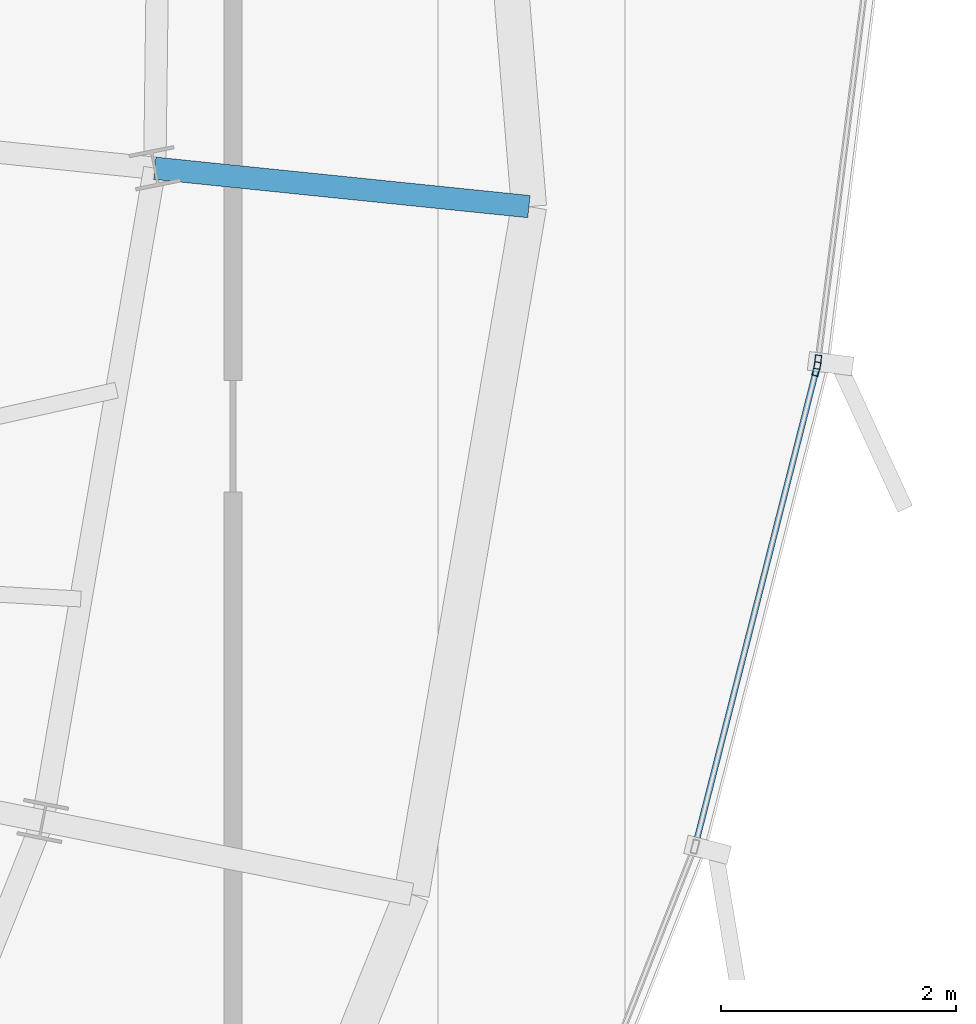
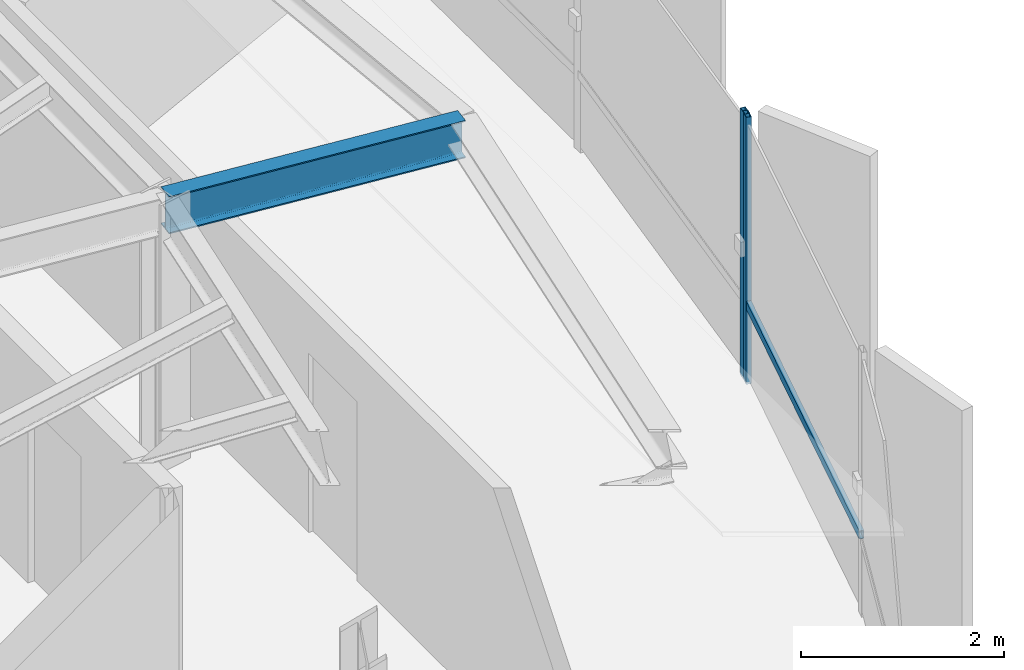
# One storey, part 15 of 34: 3 members, 1 beam, 2 elements without a shape of their own.
"""IFC4 building model written with IfcOpenShell, lengths in metres."""

from ifc_helpers import new_model, si_unit, direction, frame, origin, origin_2d, place, context, subcontext, project, spatial, hollow_rectangle, i_section, extrude, source, transform, mapped, material, layer, layer_set, material_profile, profile_set, type_object, element, aggregate, save


model = new_model("IFC4")

# Units and contexts
model_context = context("Model", 3, precision=1e-05, world=origin(), true_north=direction((0.0, 1.0)))
body_context = subcontext(model_context, "Body", "Model", "MODEL_VIEW")
ifc_project = project(units=[si_unit("LENGTHUNIT", "METRE"), si_unit("AREAUNIT", "SQUARE_METRE"), si_unit("VOLUMEUNIT", "CUBIC_METRE"), si_unit("PLANEANGLEUNIT", "RADIAN"), si_unit("MASSUNIT", "GRAM", prefix="KILO"), si_unit("THERMODYNAMICTEMPERATUREUNIT", "KELVIN")], contexts=[model_context])

# Site, building, storey
site_placement = place(None, origin())
site = spatial("IfcSite", under=ifc_project, at=site_placement, CompositionType="ELEMENT")
building_placement = place(site_placement, origin())
building = spatial("IfcBuilding", under=site, at=building_placement, Name="Kethvar Cultural Tower", CompositionType="ELEMENT")
storey_placement = place(building_placement, frame((0.0, 0.0, 262.89990234375)))
storey = spatial("IfcBuildingStorey", under=building, at=storey_placement, Name="L69", CompositionType="ELEMENT", Elevation=262.89990234375)

# Beam
ifc_material_1 = material(Name="Steel S355J2", Category="steel")
ifc_material_profile_1 = material_profile(ifc_material_1, i_section(OverallWidth=0.18994140625, OverallDepth=0.449951171875, WebThickness=0.009521484375, FlangeThickness=0.0146484375, FilletRadius=0.02099609375, at=origin_2d()), Name="Steel S355J2 — IPE450")
ifc_profile_set_1 = profile_set([ifc_material_profile_1], Name="Steel S355J2 — IPE450")
beam_type = type_object("IfcBeamType", Name="BM-IPE450", PredefinedType="BEAM", material=ifc_profile_set_1)
shared_shape_1 = source(origin(), body_context, "Body", "SweptSolid", [
    extrude(i_section(OverallWidth=0.18994140625, OverallDepth=0.449951171875, WebThickness=0.009521484375, FlangeThickness=0.0146484375, FilletRadius=0.02099609375, at=origin_2d()), origin(), (0.0, 0.0, 1.0), 3.199951171875),
])
beam_placement = place(storey_placement, frame((61.237060546875, 30.671630859375, 2.983154296875), z_axis=(0.994784019447, -0.10200369921, 0.0), x_axis=(0.10200369921, 0.994784019447, 0.0)))
element("IfcBeam", 1, at=beam_placement, inside=storey, type_object=beam_type, Name="L69 Perimeter Cantilever Beam RC-01", PredefinedType="BEAM", context=body_context, shape_type="MappedRepresentation", body=[
    mapped(shared_shape_1, transform((0.0, 0.0, 0.0), scale=1.0)),
])

# Curtain wall, member
ifc_material_2 = material(Name="Aluminium 6063-T6", Category="aluminium")
ifc_layer = layer(ifc_material_2, 0.179931640625, Name="Aluminium 6063-T6", Category="aluminium")
ifc_layer_set = layer_set([ifc_layer], Name="Aluminium 6063-T6 (180 mm)")
curtain_wall_type = type_object("IfcCurtainWallType", Name="CW-SYS-05-Z56", PredefinedType="NOTDEFINED", material=ifc_layer_set)
curtain_wall_1_placement = place(storey_placement, origin())
curtain_wall_1 = element("IfcCurtainWall", 2, at=curtain_wall_1_placement, inside=storey, type_object=curtain_wall_type, Name="L69 Curtain Wall Run 05", PredefinedType="NOTDEFINED")
ifc_material_profile_2 = material_profile(ifc_material_2, hollow_rectangle(XDim=0.054931640625, YDim=0.1201171875, WallThickness=0.00390625, at=origin_2d()), Name="Aluminium 6063-T6 — RHS120x55x4")
ifc_profile_set_2 = profile_set([ifc_material_profile_2], Name="Aluminium 6063-T6 — RHS120x55x4")
member_type_1 = type_object("IfcMemberType", Name="CW-SYS-05-Z56-MUL", PredefinedType="MULLION", material=ifc_profile_set_2)
shared_shape_2 = source(origin(), body_context, "Body", "SweptSolid", [
    extrude(hollow_rectangle(XDim=0.054931640625, YDim=0.1201171875, WallThickness=0.00390625, at=origin_2d()), origin(), (0.0, 0.0, 1.0), 3.210205078125),
])
member_1_placement = place(storey_placement, frame((66.8671875, 28.96435546875, 0.0), z_axis=(0.0, 0.0, 1.0), x_axis=(-0.969157831893, 0.24644085879, 0.0)))
member_1 = element("IfcMember", 3, at=member_1_placement, type_object=member_type_1, Name="CW-L69-R05 Mullion 7", PredefinedType="MULLION", context=body_context, shape_type="MappedRepresentation", body=[
    mapped(shared_shape_2, transform((0.0, 0.0, 0.0), scale=1.0)),
])

curtain_wall_2_placement = place(storey_placement, origin())
curtain_wall_2 = element("IfcCurtainWall", 4, at=curtain_wall_2_placement, inside=storey, type_object=curtain_wall_type, Name="L69 Curtain Wall Run 06", PredefinedType="NOTDEFINED")
member_2_placement = place(storey_placement, frame((66.878173828125, 29.0224609375, 0.0), z_axis=(0.0, 0.0, 1.0), x_axis=(-0.992164933362, 0.124934963111, 0.0)))
member_2 = element("IfcMember", 5, at=member_2_placement, type_object=member_type_1, Name="CW-L69-R06 Mullion 1", PredefinedType="MULLION", context=body_context, shape_type="MappedRepresentation", body=[
    mapped(shared_shape_2, transform((0.0, 0.0, 0.0), scale=1.0)),
])
aggregate(curtain_wall_2, [member_2])

# Member
ifc_material_profile_3 = material_profile(ifc_material_2, hollow_rectangle(XDim=0.050048828125, YDim=0.10009765625, WallThickness=0.00390625, at=origin_2d()), Name="Aluminium 6063-T6 — RHS100x50x4")
ifc_profile_set_3 = profile_set([ifc_material_profile_3], Name="Aluminium 6063-T6 — RHS100x50x4")
member_type_2 = type_object("IfcMemberType", Name="CW-SYS-05-Z56-TRN", PredefinedType="USERDEFINED", material=ifc_profile_set_3)
shared_shape_3 = source(origin(), body_context, "Body", "SweptSolid", [
    extrude(hollow_rectangle(XDim=0.050048828125, YDim=0.10009765625, WallThickness=0.00390625, at=origin_2d()), origin(), (0.0, 0.0, 1.0), 4.150634765625),
])
member_3_placement = place(storey_placement, frame((65.84326171875, 24.93798828125, 0.9501953125), z_axis=(0.246450280801, 0.969155435982, 0.0), x_axis=(-0.969155435982, 0.246450280801, 0.0)))
member_3 = element("IfcMember", 6, at=member_3_placement, type_object=member_type_2, Name="CW-L69-R05 Transom 6", ObjectType="TRANSOM", PredefinedType="USERDEFINED", context=body_context, shape_type="MappedRepresentation", body=[
    mapped(shared_shape_3, transform((0.0, 0.0, 0.0), scale=1.0)),
])

aggregate(curtain_wall_1, [member_1, member_3])

save(model, "model.ifc")
